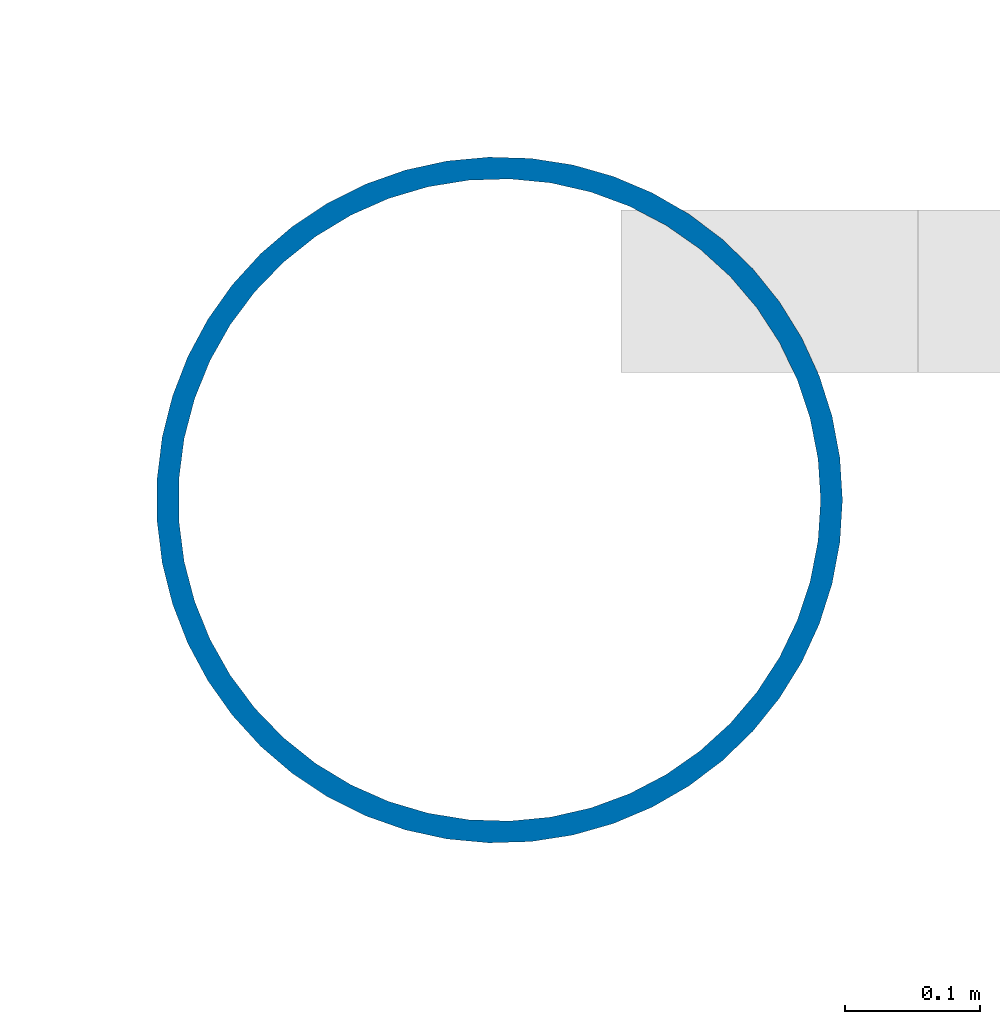
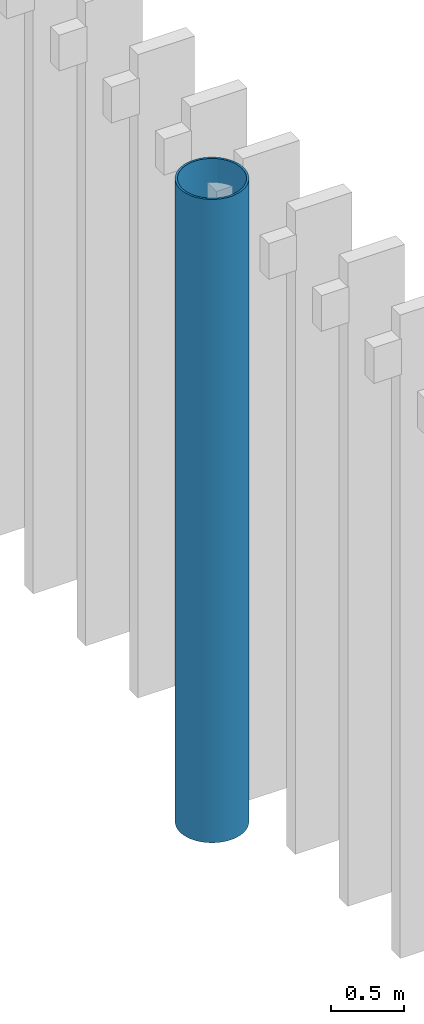
# One storey, part 7 of 170: 1 column.
"""IFC4 building model written with IfcOpenShell, lengths in metres."""

from ifc_helpers import new_model, si_unit, direction, frame, origin, origin_2d, place, context, subcontext, project, spatial, hollow_circle, extrude, material, material_profile, profile_set, type_object, element, save


model = new_model("IFC4")

# Units and contexts
model_context = context("Model", 3, precision=1e-05, world=origin(), true_north=direction((0.0, 1.0)))
body_context = subcontext(model_context, "Body", "Model", "MODEL_VIEW")
ifc_project = project(units=[si_unit("LENGTHUNIT", "METRE"), si_unit("AREAUNIT", "SQUARE_METRE"), si_unit("VOLUMEUNIT", "CUBIC_METRE"), si_unit("PLANEANGLEUNIT", "RADIAN"), si_unit("MASSUNIT", "GRAM", prefix="KILO")], contexts=[model_context])

# Site, building, storey
site_placement = place(None, origin())
site = spatial("IfcSite", under=ifc_project, at=site_placement, CompositionType="ELEMENT")
building_placement = place(site_placement, origin())
building = spatial("IfcBuilding", under=site, at=building_placement, Name="Ravi Spectrum Wholesale Market", CompositionType="ELEMENT")
storey_placement = place(building_placement, frame((0.0, 0.0, 5.39990234375)))
storey = spatial("IfcBuildingStorey", under=building, at=storey_placement, Name="L01", CompositionType="ELEMENT", Elevation=5.39990234375)

# Column
ifc_material = material(Name="Steel S355", Category="steel")
ifc_material_profile = material_profile(ifc_material, hollow_circle(Radius=0.25390625, WallThickness=0.01611328125, at=origin_2d()))
ifc_profile_set = profile_set([ifc_material_profile], Name="Steel S355")
column_type = type_object("IfcColumnType", Name="CHS 508x16 column", PredefinedType="COLUMN", material=ifc_profile_set)
column_placement = place(storey_placement, frame((110.0, 138.0, 0.0), z_axis=(0.0, 0.0, 1.0), x_axis=(1.0, 0.0, 0.0)))
element("IfcColumn", 1, at=column_placement, inside=storey, type_object=column_type, Name="H1-COL-L01-025", PredefinedType="COLUMN", context=body_context, shape_type="SweptSolid", body=[
    extrude(hollow_circle(Radius=0.25390625, WallThickness=0.01611328125, at=origin_2d()), origin(), (0.0, 0.0, 1.0), 5.400146484375),
])

save(model, "model.ifc")
